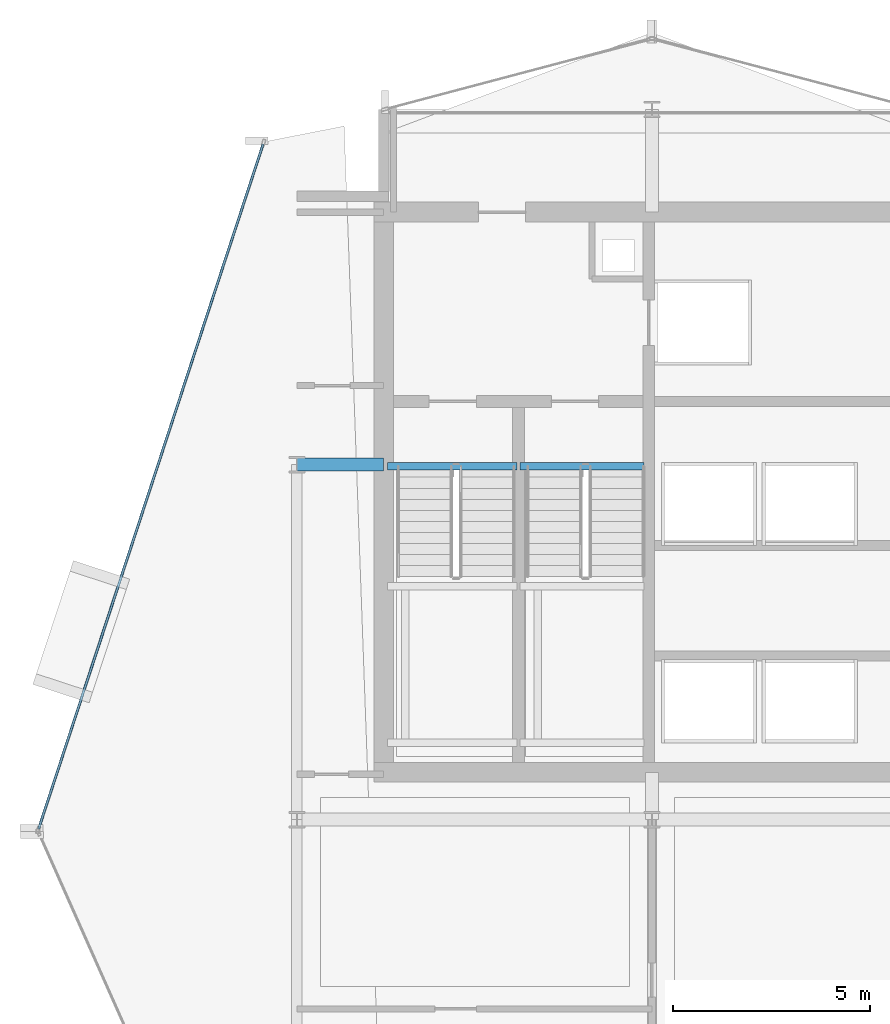
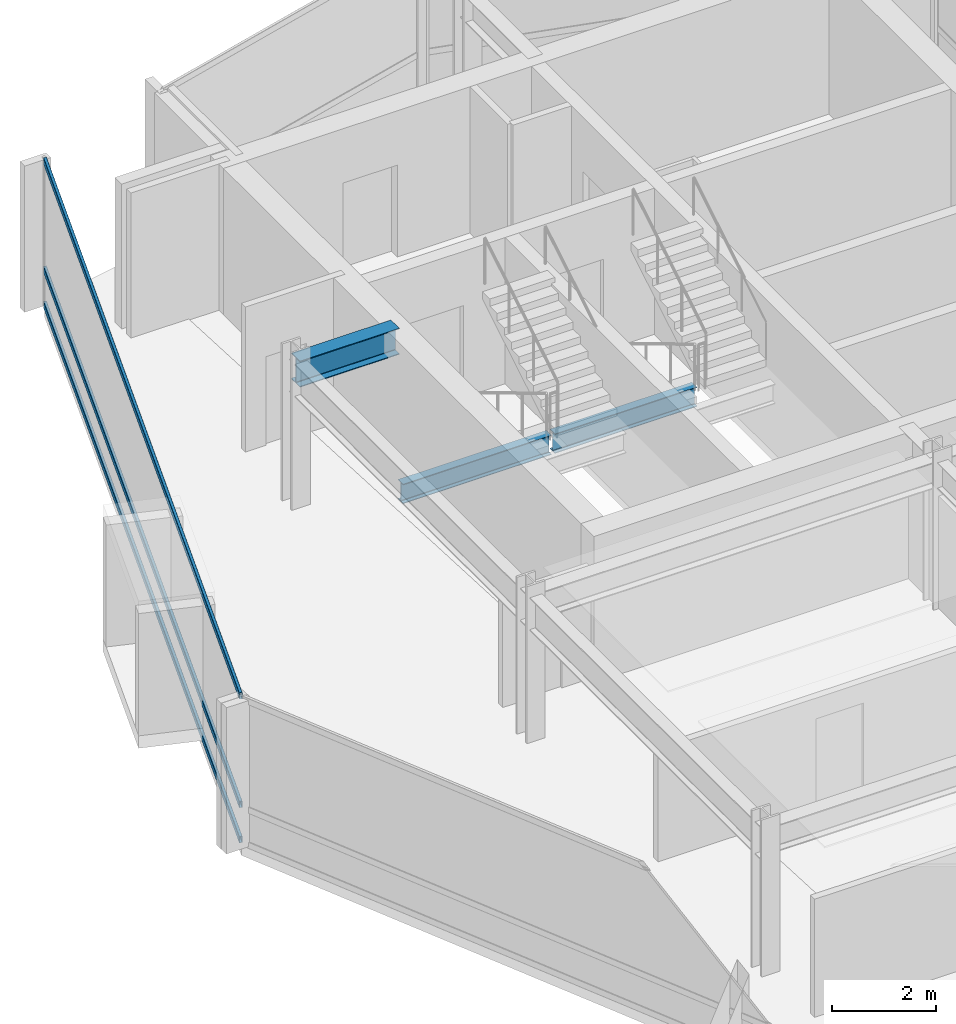
# One storey, part 15 of 27: 3 beams, 3 members, 1 element without a shape of its own.
"""IFC4 building model written with IfcOpenShell, lengths in metres."""

from ifc_helpers import new_model, si_unit, direction, frame, origin, origin_2d, place, context, subcontext, project, spatial, hollow_rectangle, i_section, extrude, material, layer, layer_set, material_profile, profile_set, type_object, element, aggregate, save


model = new_model("IFC4")

# Units and contexts
model_context = context("Model", 3, precision=1e-05, world=origin(), true_north=direction((0.0, 1.0)))
body_context = subcontext(model_context, "Body", "Model", "MODEL_VIEW")
ifc_project = project(units=[si_unit("LENGTHUNIT", "METRE"), si_unit("AREAUNIT", "SQUARE_METRE"), si_unit("VOLUMEUNIT", "CUBIC_METRE"), si_unit("PLANEANGLEUNIT", "RADIAN"), si_unit("MASSUNIT", "GRAM", prefix="KILO")], contexts=[model_context])

# Site, building, storey
site_placement = place(None, origin())
site = spatial("IfcSite", under=ifc_project, at=site_placement, CompositionType="ELEMENT")
building_placement = place(site_placement, origin())
building = spatial("IfcBuilding", under=site, at=building_placement, Name="Solvaryn Broadcast Tower", CompositionType="ELEMENT")
storey_placement = place(building_placement, frame((0.0, 0.0, 181.60009765625)))
storey = spatial("IfcBuildingStorey", under=building, at=storey_placement, Name="L45", CompositionType="ELEMENT", Elevation=181.60009765625)

# Beams
ifc_material_1 = material(Name="Steel ASTM A992 Grade 50", Category="steel")
ifc_material_profile_1 = material_profile(ifc_material_1, i_section(OverallWidth=0.323974609375, OverallDepth=0.611083984375, WebThickness=0.0126953125, FlangeThickness=0.01904296875, FilletRadius=0.014892578125, at=origin_2d()))
ifc_profile_set_1 = profile_set([ifc_material_profile_1], Name="Steel ASTM A992 Grade 50")
beam_type_1 = type_object("IfcBeamType", Name="BM-B1-W24X104", PredefinedType="BEAM", material=ifc_profile_set_1)
beam_1_placement = place(storey_placement, frame((9.0, 36.0, 3.114501953125), z_axis=(1.0, 0.0, 0.0), x_axis=(0.0, 1.0, 0.0)))
element("IfcBeam", 1, at=beam_1_placement, inside=storey, type_object=beam_type_1, Name="L45 Core Tie Beam CTW1", PredefinedType="BEAM", context=body_context, shape_type="SweptSolid", body=[
    extrude(i_section(OverallWidth=0.323974609375, OverallDepth=0.611083984375, WebThickness=0.0126953125, FlangeThickness=0.01904296875, FilletRadius=0.014892578125, at=origin_2d()), origin(), (0.0, 0.0, 1.0), 2.199951171875),
])
ifc_material_2 = material(Name="Steel ASTM A992 Grade 50", Category="steel")
ifc_material_profile_2 = material_profile(ifc_material_2, i_section(OverallWidth=0.18994140625, OverallDepth=0.45703125, WebThickness=0.009033203125, FlangeThickness=0.014404296875, FilletRadius=0.011962890625, at=origin_2d()))
ifc_profile_set_2 = profile_set([ifc_material_profile_2], Name="Steel ASTM A992 Grade 50")
beam_type_2 = type_object("IfcBeamType", Name="BM-B4-W18X50", PredefinedType="BEAM", material=ifc_profile_set_2)
beam_2_placement = place(storey_placement, frame((11.300048828125, 35.9599609375, -0.508544921875), z_axis=(1.0, 0.0, 0.0), x_axis=(0.0, 1.0, 0.0)))
element("IfcBeam", 2, at=beam_2_placement, inside=storey, type_object=beam_type_2, Name="L45 ST1 Stair Well Trimmer Beam", PredefinedType="BEAM", context=body_context, shape_type="SweptSolid", body=[
    extrude(i_section(OverallWidth=0.18994140625, OverallDepth=0.45703125, WebThickness=0.009033203125, FlangeThickness=0.014404296875, FilletRadius=0.011962890625, at=origin_2d()), origin(), (0.0, 0.0, 1.0), 3.280029296875),
])
beam_3_placement = place(storey_placement, frame((14.659912109375, 35.9599609375, -0.508544921875), z_axis=(1.0, 0.0, 0.0), x_axis=(0.0, 1.0, 0.0)))
element("IfcBeam", 3, at=beam_3_placement, inside=storey, type_object=beam_type_2, Name="L45 ST2 Stair Well Trimmer Beam", PredefinedType="BEAM", context=body_context, shape_type="SweptSolid", body=[
    extrude(i_section(OverallWidth=0.18994140625, OverallDepth=0.45703125, WebThickness=0.009033203125, FlangeThickness=0.014404296875, FilletRadius=0.011962890625, at=origin_2d()), origin(), (0.0, 0.0, 1.0), 3.14013671875),
])

# Curtain wall, members
ifc_material_3 = material(Name="Aluminium and Terracotta Unitised Curtain Wall", Category="masonry")
ifc_layer = layer(ifc_material_3, 0.199951171875)
ifc_layer_set = layer_set([ifc_layer], Name="CW-SYS2-LOWMID")
curtain_wall_type = type_object("IfcCurtainWallType", Name="CW-SYS2-LOWMID", PredefinedType="NOTDEFINED", material=ifc_layer_set)
curtain_wall_placement = place(storey_placement, origin())
curtain_wall = element("IfcCurtainWall", 4, at=curtain_wall_placement, inside=storey, type_object=curtain_wall_type, Name="L45 Curtain Wall DR1", PredefinedType="NOTDEFINED")
ifc_material_4 = material(Name="Anodised Aluminium 6063-T6", Category="aluminium")
ifc_material_profile_3 = material_profile(ifc_material_4, hollow_rectangle(XDim=0.06494140625, YDim=0.14990234375, WallThickness=0.00390625, InnerFilletRadius=0.00390625, OuterFilletRadius=0.008056640625, at=origin_2d()))
ifc_profile_set_3 = profile_set([ifc_material_profile_3], Name="Anodised Aluminium 6063-T6")
member_type = type_object("IfcMemberType", Name="CW-TRN-150", PredefinedType="USERDEFINED", material=ifc_profile_set_3)
member_1_placement = place(storey_placement, frame((8.144287109375, 44.125, 0.02978515625), z_axis=(-0.311557987209, -0.950227141586, 0.0), x_axis=(0.950227141586, -0.311557987209, 0.0)))
member_1 = element("IfcMember", 5, at=member_1_placement, type_object=member_type, Name="CWS2 transom 1.1", ObjectType="TRANSOM", PredefinedType="USERDEFINED", context=body_context, shape_type="SweptSolid", body=[
    extrude(hollow_rectangle(XDim=0.06494140625, YDim=0.14990234375, WallThickness=0.00390625, InnerFilletRadius=0.00390625, OuterFilletRadius=0.008056640625, at=origin_2d()), origin(), (0.0, 0.0, 1.0), 18.271484375),
])
member_2_placement = place(storey_placement, frame((8.144287109375, 44.125, 0.849853515625), z_axis=(-0.311557987209, -0.950227141586, 0.0), x_axis=(0.950227141586, -0.311557987209, 0.0)))
member_2 = element("IfcMember", 6, at=member_2_placement, type_object=member_type, Name="CWS2 transom 1.2", ObjectType="TRANSOM", PredefinedType="USERDEFINED", context=body_context, shape_type="SweptSolid", body=[
    extrude(hollow_rectangle(XDim=0.06494140625, YDim=0.14990234375, WallThickness=0.00390625, InnerFilletRadius=0.00390625, OuterFilletRadius=0.008056640625, at=origin_2d()), origin(), (0.0, 0.0, 1.0), 18.271484375),
])
member_3_placement = place(storey_placement, frame((8.144287109375, 44.125, 3.389892578125), z_axis=(-0.311557987209, -0.950227141586, 0.0), x_axis=(0.950227141586, -0.311557987209, 0.0)))
member_3 = element("IfcMember", 7, at=member_3_placement, type_object=member_type, Name="CWS2 transom 1.3", ObjectType="TRANSOM", PredefinedType="USERDEFINED", context=body_context, shape_type="SweptSolid", body=[
    extrude(hollow_rectangle(XDim=0.06494140625, YDim=0.14990234375, WallThickness=0.00390625, InnerFilletRadius=0.00390625, OuterFilletRadius=0.008056640625, at=origin_2d()), origin(), (0.0, 0.0, 1.0), 18.271484375),
])
aggregate(curtain_wall, [member_1, member_2, member_3])

save(model, "model.ifc")
